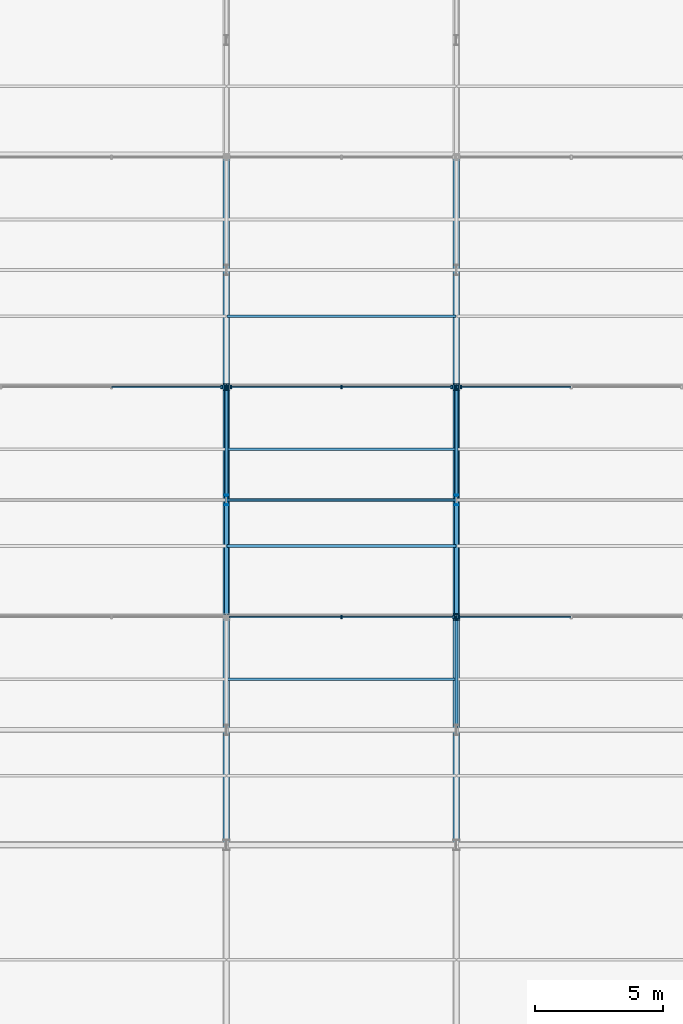
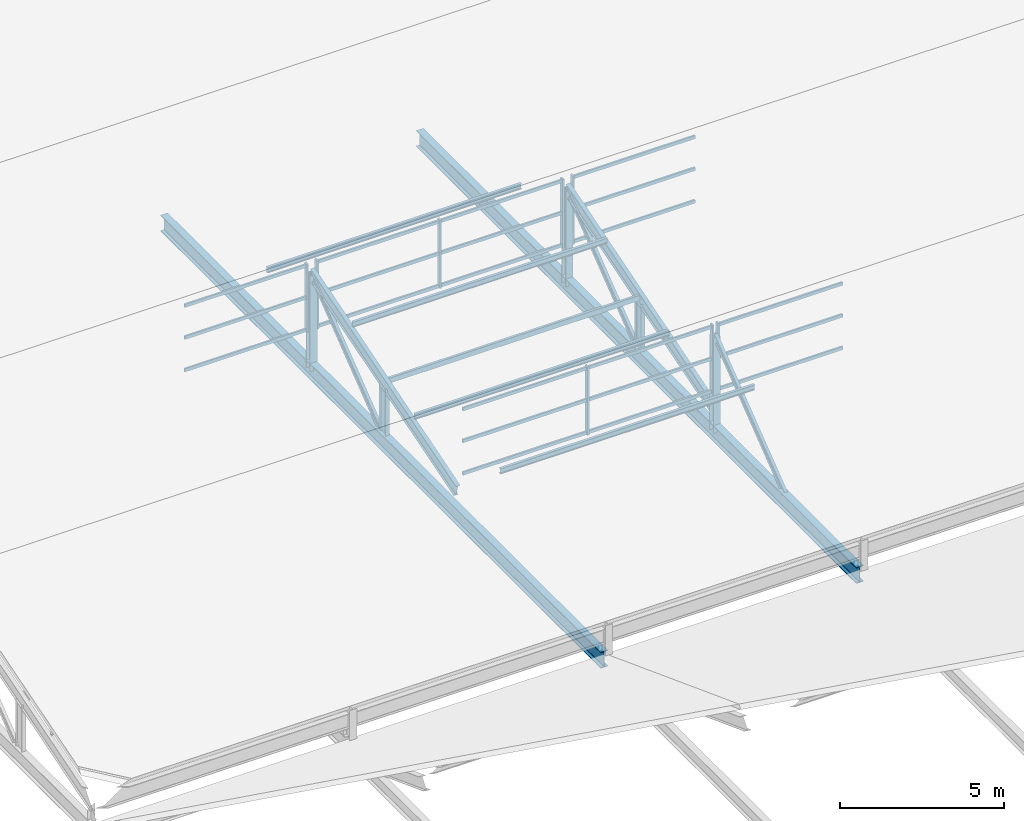
# One storey, part 47 of 163: 44 members, 2 beams, 5 elements without a shape of their own.
"""IFC4 building model written with IfcOpenShell, lengths in metres."""

from ifc_helpers import new_model, si_unit, direction, frame, origin, origin_2d, place, context, subcontext, project, spatial, rectangle, hollow_rectangle, i_section, extrude, material, material_profile, profile_set, type_object, element, aggregate, save


model = new_model("IFC4")

# Units and contexts
model_context = context("Model", 3, precision=1e-05, world=origin(), true_north=direction((0.0, 1.0)))
body_context = subcontext(model_context, "Body", "Model", "MODEL_VIEW")
ifc_project = project(units=[si_unit("LENGTHUNIT", "METRE"), si_unit("AREAUNIT", "SQUARE_METRE"), si_unit("VOLUMEUNIT", "CUBIC_METRE"), si_unit("PLANEANGLEUNIT", "RADIAN"), si_unit("MASSUNIT", "GRAM", prefix="KILO")], contexts=[model_context])

# Site, building, storey
site_placement = place(None, origin())
site = spatial("IfcSite", under=ifc_project, at=site_placement, CompositionType="ELEMENT")
building_placement = place(site_placement, origin())
building = spatial("IfcBuilding", under=site, at=building_placement, Name="Tharagai Park Tramway Depot", CompositionType="ELEMENT")
storey_placement = place(building_placement, frame((0.0, 0.0, 8.39990234375)))
storey = spatial("IfcBuildingStorey", under=building, at=storey_placement, Name="L02", CompositionType="ELEMENT", Elevation=8.39990234375)

# Beams
ifc_material_1 = material(Name="Steel E350", Category="steel")
ifc_material_profile_1 = material_profile(ifc_material_1, i_section(OverallWidth=0.25, OverallDepth=0.60009765625, WebThickness=0.01171875, FlangeThickness=0.023681640625, FilletRadius=0.01708984375, at=origin_2d()), Name="ISWB 600")
ifc_profile_set_1 = profile_set([ifc_material_profile_1], Name="Steel E350")
beam_type = type_object("IfcBeamType", Name="BM-01", PredefinedType="BEAM", material=ifc_profile_set_1)
for number, where, z_axis, x_axis, name in (
    (1, (18.0, 90.080078125, -0.25), (0.0, 1.0, 0.0), (-1.0, 0.0, 0.0), "Sawtooth Truss Bottom Tie Girder BM-01"),
    (2, (27.0, 90.080078125, -0.25), (0.0, 1.0, 0.0), (-1.0, 0.0, 0.0), "Sawtooth Truss Bottom Tie Girder BM-01"),
):
    element("IfcBeam", number, at=place(storey_placement, frame(where, z_axis=z_axis, x_axis=x_axis)), inside=storey, type_object=beam_type, Name=name, PredefinedType="BEAM", context=body_context, shape_type="SweptSolid", body=[
        extrude(i_section(OverallWidth=0.25, OverallDepth=0.60009765625, WebThickness=0.01171875, FlangeThickness=0.023681640625, FilletRadius=0.01708984375, at=origin_2d()), origin(), (0.0, 0.0, 1.0), 26.83984375),
    ])

# Members
ifc_material_profile_2 = material_profile(ifc_material_1, i_section(OverallWidth=0.25, OverallDepth=0.25, WebThickness=0.0087890625, FlangeThickness=0.009765625, FilletRadius=0.010009765625, at=origin_2d()), Name="ISHB 250")
ifc_profile_set_2 = profile_set([ifc_material_profile_2], Name="Steel E350")
member_type_1 = type_object("IfcMemberType", Name="BR-01", PredefinedType="BRACE", material=ifc_profile_set_2)
for number, where, z_axis, x_axis, name in (
    (3, (18.0, 107.919921875, -0.25), (0.0, 0.0, 1.0), (1.0, 0.0, 0.0), "Sawtooth North Vertical Post BR-01"),
    (4, (27.0, 98.919921875, -0.25), (0.0, 0.0, 1.0), (1.0, 0.0, 0.0), "Sawtooth North Vertical Post BR-01"),
    (5, (27.0, 107.919921875, -0.25), (0.0, 0.0, 1.0), (1.0, 0.0, 0.0), "Sawtooth North Vertical Post BR-01"),
):
    element("IfcMember", number, at=place(storey_placement, frame(where, z_axis=z_axis, x_axis=x_axis)), inside=storey, type_object=member_type_1, Name=name, PredefinedType="BRACE", context=body_context, shape_type="SweptSolid", body=[
        extrude(i_section(OverallWidth=0.25, OverallDepth=0.25, WebThickness=0.0087890625, FlangeThickness=0.009765625, FilletRadius=0.010009765625, at=origin_2d()), origin(), (0.0, 0.0, 1.0), 3.55517578125),
    ])
ifc_material_profile_3 = material_profile(ifc_material_1, i_section(OverallWidth=0.110107421875, OverallDepth=0.22509765625, WebThickness=0.006591796875, FlangeThickness=0.01171875, FilletRadius=0.011962890625, at=origin_2d()), Name="ISMB 225")
ifc_profile_set_3 = profile_set([ifc_material_profile_3], Name="Steel E350")
member_type_2 = type_object("IfcMemberType", Name="BR-04", PredefinedType="BRACE", material=ifc_profile_set_3)
for number, where, z_axis, x_axis, name in (
    (6, (18.0, 103.64990234375, 0.0), (0.0, 0.790781596, 0.612098413188), (-1.0, 0.0, 0.0), "Sawtooth Truss Web Diagonal BR-04"),
    (7, (27.0, 94.64990234375, 0.0), (0.0, 0.790781596, 0.612098413188), (-1.0, 0.0, 0.0), "Sawtooth Truss Web Diagonal BR-04"),
    (8, (27.0, 103.64990234375, 0.0), (0.0, 0.790781596, 0.612098413188), (-1.0, 0.0, 0.0), "Sawtooth Truss Web Diagonal BR-04"),
):
    element("IfcMember", number, at=place(storey_placement, frame(where, z_axis=z_axis, x_axis=x_axis)), inside=storey, type_object=member_type_2, Name=name, PredefinedType="BRACE", context=body_context, shape_type="SweptSolid", body=[
        extrude(i_section(OverallWidth=0.110107421875, OverallDepth=0.22509765625, WebThickness=0.006591796875, FlangeThickness=0.01171875, FilletRadius=0.011962890625, at=origin_2d()), origin(), (0.0, 0.0, 1.0), 5.399658203125),
    ])

# Curtain wall, members
ifc_material_2 = material(Name="Anodised aluminium", Category="aluminium")
curtain_wall_type_1 = type_object("IfcCurtainWallType", Name="CW-04", PredefinedType="NOTDEFINED", material=ifc_material_2)
curtain_wall_1_placement = place(storey_placement, origin())
curtain_wall_1 = element("IfcCurtainWall", 9, at=curtain_wall_1_placement, inside=storey, type_object=curtain_wall_type_1, Name="Sawtooth North-Light Clerestory CW-04", PredefinedType="NOTDEFINED")
ifc_material_profile_4 = material_profile(ifc_material_2, rectangle(XDim=0.06494140625, YDim=0.1201171875, at=origin_2d()), Name="ALU 65x120")
ifc_profile_set_4 = profile_set([ifc_material_profile_4], Name="Anodised aluminium")
member_type_3 = type_object("IfcMemberType", Name="CM-01", PredefinedType="USERDEFINED", material=ifc_profile_set_4)
member_1_placement = place(storey_placement, frame((18.114990234375, 98.919921875, 1.26513671875), z_axis=(1.0, 0.0, 0.0), x_axis=(0.0, 1.0, 0.0)))
member_1 = element("IfcMember", 10, at=member_1_placement, type_object=member_type_3, Name="Sawtooth North-Light Clerestory Transom 1.1", ObjectType="TRANSOM", PredefinedType="USERDEFINED", context=body_context, shape_type="SweptSolid", body=[
    extrude(rectangle(XDim=0.06494140625, YDim=0.1201171875, at=origin_2d()), origin(), (0.0, 0.0, 1.0), 4.3701171875),
])
member_2_placement = place(storey_placement, frame((18.114990234375, 98.919921875, 2.4736328125), z_axis=(1.0, 0.0, 0.0), x_axis=(0.0, 1.0, 0.0)))
member_2 = element("IfcMember", 11, at=member_2_placement, type_object=member_type_3, Name="Sawtooth North-Light Clerestory Transom 1.2", ObjectType="TRANSOM", PredefinedType="USERDEFINED", context=body_context, shape_type="SweptSolid", body=[
    extrude(rectangle(XDim=0.06494140625, YDim=0.1201171875, at=origin_2d()), origin(), (0.0, 0.0, 1.0), 4.3701171875),
])
member_3_placement = place(storey_placement, frame((18.114990234375, 98.919921875, 3.662353515625), z_axis=(1.0, 0.0, 0.0), x_axis=(0.0, 1.0, 0.0)))
member_3 = element("IfcMember", 12, at=member_3_placement, type_object=member_type_3, Name="Sawtooth North-Light Clerestory Transom 1.3", ObjectType="TRANSOM", PredefinedType="USERDEFINED", context=body_context, shape_type="SweptSolid", body=[
    extrude(rectangle(XDim=0.06494140625, YDim=0.1201171875, at=origin_2d()), origin(), (0.0, 0.0, 1.0), 4.3701171875),
])
member_4_placement = place(storey_placement, frame((22.514892578125, 98.919921875, 1.26513671875), z_axis=(1.0, 0.0, 0.0), x_axis=(0.0, 1.0, 0.0)))
member_4 = element("IfcMember", 13, at=member_4_placement, type_object=member_type_3, Name="Sawtooth North-Light Clerestory Transom 2.1", ObjectType="TRANSOM", PredefinedType="USERDEFINED", context=body_context, shape_type="SweptSolid", body=[
    extrude(rectangle(XDim=0.06494140625, YDim=0.1201171875, at=origin_2d()), origin(), (0.0, 0.0, 1.0), 4.3701171875),
])
member_5_placement = place(storey_placement, frame((22.514892578125, 98.919921875, 2.4736328125), z_axis=(1.0, 0.0, 0.0), x_axis=(0.0, 1.0, 0.0)))
member_5 = element("IfcMember", 14, at=member_5_placement, type_object=member_type_3, Name="Sawtooth North-Light Clerestory Transom 2.2", ObjectType="TRANSOM", PredefinedType="USERDEFINED", context=body_context, shape_type="SweptSolid", body=[
    extrude(rectangle(XDim=0.06494140625, YDim=0.1201171875, at=origin_2d()), origin(), (0.0, 0.0, 1.0), 4.3701171875),
])
member_6_placement = place(storey_placement, frame((22.514892578125, 98.919921875, 3.662353515625), z_axis=(1.0, 0.0, 0.0), x_axis=(0.0, 1.0, 0.0)))
member_6 = element("IfcMember", 15, at=member_6_placement, type_object=member_type_3, Name="Sawtooth North-Light Clerestory Transom 2.3", ObjectType="TRANSOM", PredefinedType="USERDEFINED", context=body_context, shape_type="SweptSolid", body=[
    extrude(rectangle(XDim=0.06494140625, YDim=0.1201171875, at=origin_2d()), origin(), (0.0, 0.0, 1.0), 4.3701171875),
])

curtain_wall_2_placement = place(storey_placement, origin())
curtain_wall_2 = element("IfcCurtainWall", 16, at=curtain_wall_2_placement, inside=storey, type_object=curtain_wall_type_1, Name="Sawtooth North-Light Clerestory CW-04", PredefinedType="NOTDEFINED")
member_7_placement = place(storey_placement, frame((27.114990234375, 98.919921875, 1.26513671875), z_axis=(1.0, 0.0, 0.0), x_axis=(0.0, 1.0, 0.0)))
member_7 = element("IfcMember", 17, at=member_7_placement, type_object=member_type_3, Name="Sawtooth North-Light Clerestory Transom 1.1", ObjectType="TRANSOM", PredefinedType="USERDEFINED", context=body_context, shape_type="SweptSolid", body=[
    extrude(rectangle(XDim=0.06494140625, YDim=0.1201171875, at=origin_2d()), origin(), (0.0, 0.0, 1.0), 4.3701171875),
])
member_8_placement = place(storey_placement, frame((27.114990234375, 98.919921875, 2.4736328125), z_axis=(1.0, 0.0, 0.0), x_axis=(0.0, 1.0, 0.0)))
member_8 = element("IfcMember", 18, at=member_8_placement, type_object=member_type_3, Name="Sawtooth North-Light Clerestory Transom 1.2", ObjectType="TRANSOM", PredefinedType="USERDEFINED", context=body_context, shape_type="SweptSolid", body=[
    extrude(rectangle(XDim=0.06494140625, YDim=0.1201171875, at=origin_2d()), origin(), (0.0, 0.0, 1.0), 4.3701171875),
])
member_9_placement = place(storey_placement, frame((27.114990234375, 98.919921875, 3.662353515625), z_axis=(1.0, 0.0, 0.0), x_axis=(0.0, 1.0, 0.0)))
member_9 = element("IfcMember", 19, at=member_9_placement, type_object=member_type_3, Name="Sawtooth North-Light Clerestory Transom 1.3", ObjectType="TRANSOM", PredefinedType="USERDEFINED", context=body_context, shape_type="SweptSolid", body=[
    extrude(rectangle(XDim=0.06494140625, YDim=0.1201171875, at=origin_2d()), origin(), (0.0, 0.0, 1.0), 4.3701171875),
])

curtain_wall_type_2 = type_object("IfcCurtainWallType", Name="CW-03", PredefinedType="NOTDEFINED", material=ifc_material_2)
curtain_wall_3_placement = place(storey_placement, origin())
curtain_wall_3 = element("IfcCurtainWall", 20, at=curtain_wall_3_placement, inside=storey, type_object=curtain_wall_type_2, Name="Sawtooth North-Light Clerestory CW-03", PredefinedType="NOTDEFINED")
member_10_placement = place(storey_placement, frame((13.514892578125, 107.919921875, 1.26513671875), z_axis=(1.0, 0.0, 0.0), x_axis=(0.0, 1.0, 0.0)))
member_10 = element("IfcMember", 21, at=member_10_placement, type_object=member_type_3, Name="Sawtooth North-Light Clerestory Transom 2.1", ObjectType="TRANSOM", PredefinedType="USERDEFINED", context=body_context, shape_type="SweptSolid", body=[
    extrude(rectangle(XDim=0.06494140625, YDim=0.1201171875, at=origin_2d()), origin(), (0.0, 0.0, 1.0), 4.2900390625),
])
member_11_placement = place(storey_placement, frame((13.514892578125, 107.919921875, 2.4736328125), z_axis=(1.0, 0.0, 0.0), x_axis=(0.0, 1.0, 0.0)))
member_11 = element("IfcMember", 22, at=member_11_placement, type_object=member_type_3, Name="Sawtooth North-Light Clerestory Transom 2.2", ObjectType="TRANSOM", PredefinedType="USERDEFINED", context=body_context, shape_type="SweptSolid", body=[
    extrude(rectangle(XDim=0.06494140625, YDim=0.1201171875, at=origin_2d()), origin(), (0.0, 0.0, 1.0), 4.2900390625),
])
member_12_placement = place(storey_placement, frame((13.514892578125, 107.919921875, 3.662353515625), z_axis=(1.0, 0.0, 0.0), x_axis=(0.0, 1.0, 0.0)))
member_12 = element("IfcMember", 23, at=member_12_placement, type_object=member_type_3, Name="Sawtooth North-Light Clerestory Transom 2.3", ObjectType="TRANSOM", PredefinedType="USERDEFINED", context=body_context, shape_type="SweptSolid", body=[
    extrude(rectangle(XDim=0.06494140625, YDim=0.1201171875, at=origin_2d()), origin(), (0.0, 0.0, 1.0), 4.2900390625),
])

curtain_wall_4_placement = place(storey_placement, origin())
curtain_wall_4 = element("IfcCurtainWall", 24, at=curtain_wall_4_placement, inside=storey, type_object=curtain_wall_type_2, Name="Sawtooth North-Light Clerestory CW-03", PredefinedType="NOTDEFINED")
member_13_placement = place(storey_placement, frame((18.195068359375, 107.919921875, 1.26513671875), z_axis=(1.0, 0.0, 0.0), x_axis=(0.0, 1.0, 0.0)))
member_13 = element("IfcMember", 25, at=member_13_placement, type_object=member_type_3, Name="Sawtooth North-Light Clerestory Transom 1.1", ObjectType="TRANSOM", PredefinedType="USERDEFINED", context=body_context, shape_type="SweptSolid", body=[
    extrude(rectangle(XDim=0.06494140625, YDim=0.1201171875, at=origin_2d()), origin(), (0.0, 0.0, 1.0), 4.2900390625),
])
member_14_placement = place(storey_placement, frame((18.195068359375, 107.919921875, 2.4736328125), z_axis=(1.0, 0.0, 0.0), x_axis=(0.0, 1.0, 0.0)))
member_14 = element("IfcMember", 26, at=member_14_placement, type_object=member_type_3, Name="Sawtooth North-Light Clerestory Transom 1.2", ObjectType="TRANSOM", PredefinedType="USERDEFINED", context=body_context, shape_type="SweptSolid", body=[
    extrude(rectangle(XDim=0.06494140625, YDim=0.1201171875, at=origin_2d()), origin(), (0.0, 0.0, 1.0), 4.2900390625),
])
member_15_placement = place(storey_placement, frame((18.195068359375, 107.919921875, 3.662353515625), z_axis=(1.0, 0.0, 0.0), x_axis=(0.0, 1.0, 0.0)))
member_15 = element("IfcMember", 27, at=member_15_placement, type_object=member_type_3, Name="Sawtooth North-Light Clerestory Transom 1.3", ObjectType="TRANSOM", PredefinedType="USERDEFINED", context=body_context, shape_type="SweptSolid", body=[
    extrude(rectangle(XDim=0.06494140625, YDim=0.1201171875, at=origin_2d()), origin(), (0.0, 0.0, 1.0), 4.2900390625),
])
member_16_placement = place(storey_placement, frame((22.514892578125, 107.919921875, 1.26513671875), z_axis=(1.0, 0.0, 0.0), x_axis=(0.0, 1.0, 0.0)))
member_16 = element("IfcMember", 28, at=member_16_placement, type_object=member_type_3, Name="Sawtooth North-Light Clerestory Transom 2.1", ObjectType="TRANSOM", PredefinedType="USERDEFINED", context=body_context, shape_type="SweptSolid", body=[
    extrude(rectangle(XDim=0.06494140625, YDim=0.1201171875, at=origin_2d()), origin(), (0.0, 0.0, 1.0), 4.2900390625),
])
member_17_placement = place(storey_placement, frame((22.514892578125, 107.919921875, 2.4736328125), z_axis=(1.0, 0.0, 0.0), x_axis=(0.0, 1.0, 0.0)))
member_17 = element("IfcMember", 29, at=member_17_placement, type_object=member_type_3, Name="Sawtooth North-Light Clerestory Transom 2.2", ObjectType="TRANSOM", PredefinedType="USERDEFINED", context=body_context, shape_type="SweptSolid", body=[
    extrude(rectangle(XDim=0.06494140625, YDim=0.1201171875, at=origin_2d()), origin(), (0.0, 0.0, 1.0), 4.2900390625),
])
member_18_placement = place(storey_placement, frame((22.514892578125, 107.919921875, 3.662353515625), z_axis=(1.0, 0.0, 0.0), x_axis=(0.0, 1.0, 0.0)))
member_18 = element("IfcMember", 30, at=member_18_placement, type_object=member_type_3, Name="Sawtooth North-Light Clerestory Transom 2.3", ObjectType="TRANSOM", PredefinedType="USERDEFINED", context=body_context, shape_type="SweptSolid", body=[
    extrude(rectangle(XDim=0.06494140625, YDim=0.1201171875, at=origin_2d()), origin(), (0.0, 0.0, 1.0), 4.2900390625),
])

curtain_wall_5_placement = place(storey_placement, origin())
curtain_wall_5 = element("IfcCurtainWall", 31, at=curtain_wall_5_placement, inside=storey, type_object=curtain_wall_type_2, Name="Sawtooth North-Light Clerestory CW-03", PredefinedType="NOTDEFINED")
member_19_placement = place(storey_placement, frame((27.195068359375, 107.919921875, 1.26513671875), z_axis=(1.0, 0.0, 0.0), x_axis=(0.0, 1.0, 0.0)))
member_19 = element("IfcMember", 32, at=member_19_placement, type_object=member_type_3, Name="Sawtooth North-Light Clerestory Transom 1.1", ObjectType="TRANSOM", PredefinedType="USERDEFINED", context=body_context, shape_type="SweptSolid", body=[
    extrude(rectangle(XDim=0.06494140625, YDim=0.1201171875, at=origin_2d()), origin(), (0.0, 0.0, 1.0), 4.2900390625),
])
member_20_placement = place(storey_placement, frame((27.195068359375, 107.919921875, 2.4736328125), z_axis=(1.0, 0.0, 0.0), x_axis=(0.0, 1.0, 0.0)))
member_20 = element("IfcMember", 33, at=member_20_placement, type_object=member_type_3, Name="Sawtooth North-Light Clerestory Transom 1.2", ObjectType="TRANSOM", PredefinedType="USERDEFINED", context=body_context, shape_type="SweptSolid", body=[
    extrude(rectangle(XDim=0.06494140625, YDim=0.1201171875, at=origin_2d()), origin(), (0.0, 0.0, 1.0), 4.2900390625),
])
member_21_placement = place(storey_placement, frame((27.195068359375, 107.919921875, 3.662353515625), z_axis=(1.0, 0.0, 0.0), x_axis=(0.0, 1.0, 0.0)))
member_21 = element("IfcMember", 34, at=member_21_placement, type_object=member_type_3, Name="Sawtooth North-Light Clerestory Transom 1.3", ObjectType="TRANSOM", PredefinedType="USERDEFINED", context=body_context, shape_type="SweptSolid", body=[
    extrude(rectangle(XDim=0.06494140625, YDim=0.1201171875, at=origin_2d()), origin(), (0.0, 0.0, 1.0), 4.2900390625),
])

# Member
ifc_material_profile_5 = material_profile(ifc_material_2, rectangle(XDim=0.06494140625, YDim=0.14990234375, at=origin_2d()), Name="ALU 65x150")
ifc_profile_set_5 = profile_set([ifc_material_profile_5], Name="Anodised aluminium")
member_type_4 = type_object("IfcMemberType", Name="CM-03", PredefinedType="MULLION", material=ifc_profile_set_5)
member_22_placement = place(storey_placement, frame((22.5, 98.919921875, 1.2001953125), z_axis=(0.0, 0.0, 1.0), x_axis=(1.0, 0.0, 0.0)))
member_22 = element("IfcMember", 35, at=member_22_placement, type_object=member_type_4, Name="Sawtooth North-Light Clerestory Mullion 2", PredefinedType="MULLION", context=body_context, shape_type="SweptSolid", body=[
    extrude(rectangle(XDim=0.06494140625, YDim=0.14990234375, at=origin_2d()), origin(), (0.0, 0.0, 1.0), 2.547119140625),
])

member_23_placement = place(storey_placement, frame((26.89990234375, 98.919921875, 1.2001953125), z_axis=(0.0, 0.0, 1.0), x_axis=(1.0, 0.0, 0.0)))
member_23 = element("IfcMember", 36, at=member_23_placement, type_object=member_type_4, Name="Sawtooth North-Light Clerestory Mullion 3", PredefinedType="MULLION", context=body_context, shape_type="SweptSolid", body=[
    extrude(rectangle(XDim=0.06494140625, YDim=0.14990234375, at=origin_2d()), origin(), (0.0, 0.0, 1.0), 2.547119140625),
])

aggregate(curtain_wall_1, [member_22, member_23, member_1, member_2, member_3, member_4, member_5, member_6])

member_24_placement = place(storey_placement, frame((27.10009765625, 98.919921875, 1.2001953125), z_axis=(0.0, 0.0, 1.0), x_axis=(1.0, 0.0, 0.0)))
member_24 = element("IfcMember", 37, at=member_24_placement, type_object=member_type_4, Name="Sawtooth North-Light Clerestory Mullion 1", PredefinedType="MULLION", context=body_context, shape_type="SweptSolid", body=[
    extrude(rectangle(XDim=0.06494140625, YDim=0.14990234375, at=origin_2d()), origin(), (0.0, 0.0, 1.0), 2.547119140625),
])

aggregate(curtain_wall_2, [member_24, member_7, member_8, member_9])

member_25_placement = place(storey_placement, frame((17.820068359375, 107.919921875, 1.2001953125), z_axis=(0.0, 0.0, 1.0), x_axis=(1.0, 0.0, 0.0)))
member_25 = element("IfcMember", 38, at=member_25_placement, type_object=member_type_4, Name="Sawtooth North-Light Clerestory Mullion 3", PredefinedType="MULLION", context=body_context, shape_type="SweptSolid", body=[
    extrude(rectangle(XDim=0.06494140625, YDim=0.14990234375, at=origin_2d()), origin(), (0.0, 0.0, 1.0), 2.547119140625),
])

aggregate(curtain_wall_3, [member_25, member_10, member_11, member_12])

member_26_placement = place(storey_placement, frame((18.179931640625, 107.919921875, 1.2001953125), z_axis=(0.0, 0.0, 1.0), x_axis=(1.0, 0.0, 0.0)))
member_26 = element("IfcMember", 39, at=member_26_placement, type_object=member_type_4, Name="Sawtooth North-Light Clerestory Mullion 1", PredefinedType="MULLION", context=body_context, shape_type="SweptSolid", body=[
    extrude(rectangle(XDim=0.06494140625, YDim=0.14990234375, at=origin_2d()), origin(), (0.0, 0.0, 1.0), 2.547119140625),
])

member_27_placement = place(storey_placement, frame((22.5, 107.919921875, 1.2001953125), z_axis=(0.0, 0.0, 1.0), x_axis=(1.0, 0.0, 0.0)))
member_27 = element("IfcMember", 40, at=member_27_placement, type_object=member_type_4, Name="Sawtooth North-Light Clerestory Mullion 2", PredefinedType="MULLION", context=body_context, shape_type="SweptSolid", body=[
    extrude(rectangle(XDim=0.06494140625, YDim=0.14990234375, at=origin_2d()), origin(), (0.0, 0.0, 1.0), 2.547119140625),
])

member_28_placement = place(storey_placement, frame((26.820068359375, 107.919921875, 1.2001953125), z_axis=(0.0, 0.0, 1.0), x_axis=(1.0, 0.0, 0.0)))
member_28 = element("IfcMember", 41, at=member_28_placement, type_object=member_type_4, Name="Sawtooth North-Light Clerestory Mullion 3", PredefinedType="MULLION", context=body_context, shape_type="SweptSolid", body=[
    extrude(rectangle(XDim=0.06494140625, YDim=0.14990234375, at=origin_2d()), origin(), (0.0, 0.0, 1.0), 2.547119140625),
])

aggregate(curtain_wall_4, [member_26, member_27, member_28, member_13, member_14, member_15, member_16, member_17, member_18])

member_29_placement = place(storey_placement, frame((27.179931640625, 107.919921875, 1.2001953125), z_axis=(0.0, 0.0, 1.0), x_axis=(1.0, 0.0, 0.0)))
member_29 = element("IfcMember", 42, at=member_29_placement, type_object=member_type_4, Name="Sawtooth North-Light Clerestory Mullion 1", PredefinedType="MULLION", context=body_context, shape_type="SweptSolid", body=[
    extrude(rectangle(XDim=0.06494140625, YDim=0.14990234375, at=origin_2d()), origin(), (0.0, 0.0, 1.0), 2.547119140625),
])

aggregate(curtain_wall_5, [member_29, member_19, member_20, member_21])

# Members
ifc_material_3 = material(Name="Steel E250", Category="steel")
ifc_material_profile_6 = material_profile(ifc_material_3, i_section(OverallWidth=0.10009765625, OverallDepth=0.199951171875, WebThickness=0.00537109375, FlangeThickness=0.00732421875, FilletRadius=0.009033203125, at=origin_2d()), Name="ISLB 200")
ifc_profile_set_6 = profile_set([ifc_material_profile_6], Name="Steel E250")
member_type_5 = type_object("IfcMemberType", Name="PR-03", PredefinedType="PURLIN", material=ifc_profile_set_6)
for number, where, z_axis, x_axis, name in (
    (43, (18.02001953125, 101.699951171875, 1.733154296875), (1.0, 0.0, 0.0), (0.0, 1.0, 0.0), "Sawtooth Roof Purlin PR-03"),
    (44, (18.02001953125, 105.47998046875, 2.87451171875), (1.0, 0.0, 0.0), (0.0, 1.0, 0.0), "Sawtooth Roof Purlin PR-03"),
):
    element("IfcMember", number, at=place(storey_placement, frame(where, z_axis=z_axis, x_axis=x_axis)), inside=storey, type_object=member_type_5, Name=name, PredefinedType="PURLIN", context=body_context, shape_type="SweptSolid", body=[
        extrude(i_section(OverallWidth=0.10009765625, OverallDepth=0.199951171875, WebThickness=0.00537109375, FlangeThickness=0.00732421875, FilletRadius=0.009033203125, at=origin_2d()), origin(), (0.0, 0.0, 1.0), 8.9599609375),
    ])
ifc_material_profile_7 = material_profile(ifc_material_3, i_section(OverallWidth=0.10009765625, OverallDepth=0.199951171875, WebThickness=0.005615234375, FlangeThickness=0.0107421875, FilletRadius=0.010986328125, at=origin_2d()), Name="ISMB 200")
ifc_profile_set_7 = profile_set([ifc_material_profile_7], Name="Steel E250")
member_type_6 = type_object("IfcMemberType", Name="PR-04", PredefinedType="PURLIN", material=ifc_profile_set_7)
for number, where, z_axis, x_axis, name in (
    (45, (18.02001953125, 96.47998046875, 2.87451171875), (1.0, 0.0, 0.0), (0.0, 1.0, 0.0), "Sawtooth Roof Purlin PR-04"),
    (46, (18.02001953125, 110.699951171875, 1.733154296875), (1.0, 0.0, 0.0), (0.0, 1.0, 0.0), "Sawtooth Roof Purlin PR-04"),
):
    element("IfcMember", number, at=place(storey_placement, frame(where, z_axis=z_axis, x_axis=x_axis)), inside=storey, type_object=member_type_6, Name=name, PredefinedType="PURLIN", context=body_context, shape_type="SweptSolid", body=[
        extrude(i_section(OverallWidth=0.10009765625, OverallDepth=0.199951171875, WebThickness=0.005615234375, FlangeThickness=0.0107421875, FilletRadius=0.010986328125, at=origin_2d()), origin(), (0.0, 0.0, 1.0), 8.9599609375),
    ])
ifc_material_profile_8 = material_profile(ifc_material_1, hollow_rectangle(XDim=0.10009765625, YDim=0.199951171875, WallThickness=0.006103515625, InnerFilletRadius=0.006103515625, OuterFilletRadius=0.011962890625, at=origin_2d()), Name="RHS 200x100x6")
ifc_profile_set_8 = profile_set([ifc_material_profile_8], Name="Steel E350")
member_type_7 = type_object("IfcMemberType", Name="RF-04", PredefinedType="RAFTER", material=ifc_profile_set_8)
member_30_placement = place(storey_placement, frame((18.02001953125, 103.5, 1.946533203125), z_axis=(1.0, 0.0, 0.0), x_axis=(0.0, 1.0, 0.0)))
element("IfcMember", 47, at=member_30_placement, inside=storey, type_object=member_type_7, Name="Sawtooth Tubular Tie Strut RF-04", PredefinedType="RAFTER", context=body_context, shape_type="SweptSolid", body=[
    extrude(hollow_rectangle(XDim=0.10009765625, YDim=0.199951171875, WallThickness=0.006103515625, InnerFilletRadius=0.006103515625, OuterFilletRadius=0.011962890625, at=origin_2d()), origin(), (0.0, 0.0, 1.0), 8.9599609375),
])
ifc_material_profile_9 = material_profile(ifc_material_1, i_section(OverallWidth=0.14990234375, OverallDepth=0.449951171875, WebThickness=0.009521484375, FlangeThickness=0.017333984375, FilletRadius=0.014892578125, at=origin_2d()), Name="ISMB 450")
ifc_profile_set_9 = profile_set([ifc_material_profile_9], Name="Steel E350")
member_type_8 = type_object("IfcMemberType", Name="TC-05", PredefinedType="CHORD", material=ifc_profile_set_9)
for number, where, z_axis, x_axis, name in (
    (48, (18.0, 99.06005859375, 0.587890625), (0.0, 0.956231486327, 0.29261125159), (-1.0, 0.0, 0.0), "Sawtooth Top Chord TC-05"),
    (49, (27.0, 99.06005859375, 0.587890625), (0.0, 0.956231486327, 0.29261125159), (-1.0, 0.0, 0.0), "Sawtooth Top Chord TC-05"),
):
    element("IfcMember", number, at=place(storey_placement, frame(where, z_axis=z_axis, x_axis=x_axis)), inside=storey, type_object=member_type_8, Name=name, PredefinedType="CHORD", context=body_context, shape_type="SweptSolid", body=[
        extrude(i_section(OverallWidth=0.14990234375, OverallDepth=0.449951171875, WebThickness=0.009521484375, FlangeThickness=0.017333984375, FilletRadius=0.014892578125, at=origin_2d()), origin(), (0.0, 0.0, 1.0), 9.286376953125),
    ])
ifc_material_profile_10 = material_profile(ifc_material_1, i_section(OverallWidth=0.139892578125, OverallDepth=0.39990234375, WebThickness=0.0087890625, FlangeThickness=0.01611328125, FilletRadius=0.013916015625, at=origin_2d()), Name="ISMB 400")
ifc_profile_set_10 = profile_set([ifc_material_profile_10], Name="Steel E350")
member_type_9 = type_object("IfcMemberType", Name="TC-06", PredefinedType="CHORD", material=ifc_profile_set_10)
for number, where, z_axis, x_axis, name in (
    (50, (18.0, 103.5, -0.0498046875), (0.0, 0.0, 1.0), (1.0, 0.0, 0.0), "Sawtooth Mid-Tooth Strut TC-06"),
    (51, (27.0, 103.5, -0.0498046875), (0.0, 0.0, 1.0), (1.0, 0.0, 0.0), "Sawtooth Mid-Tooth Strut TC-06"),
):
    element("IfcMember", number, at=place(storey_placement, frame(where, z_axis=z_axis, x_axis=x_axis)), inside=storey, type_object=member_type_9, Name=name, PredefinedType="CHORD", context=body_context, shape_type="SweptSolid", body=[
        extrude(i_section(OverallWidth=0.139892578125, OverallDepth=0.39990234375, WebThickness=0.0087890625, FlangeThickness=0.01611328125, FilletRadius=0.013916015625, at=origin_2d()), origin(), (0.0, 0.0, 1.0), 1.846435546875),
    ])

save(model, "model.ifc")
